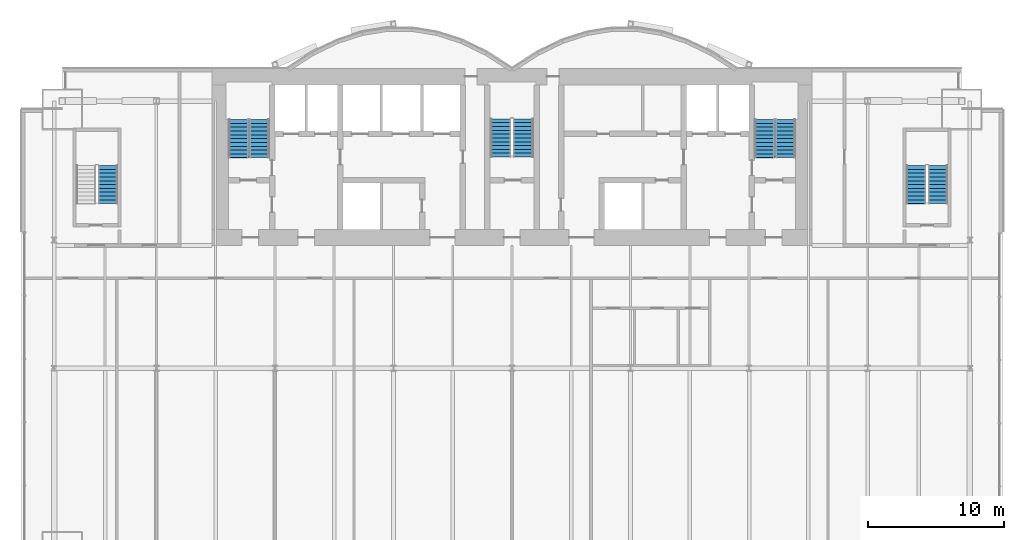
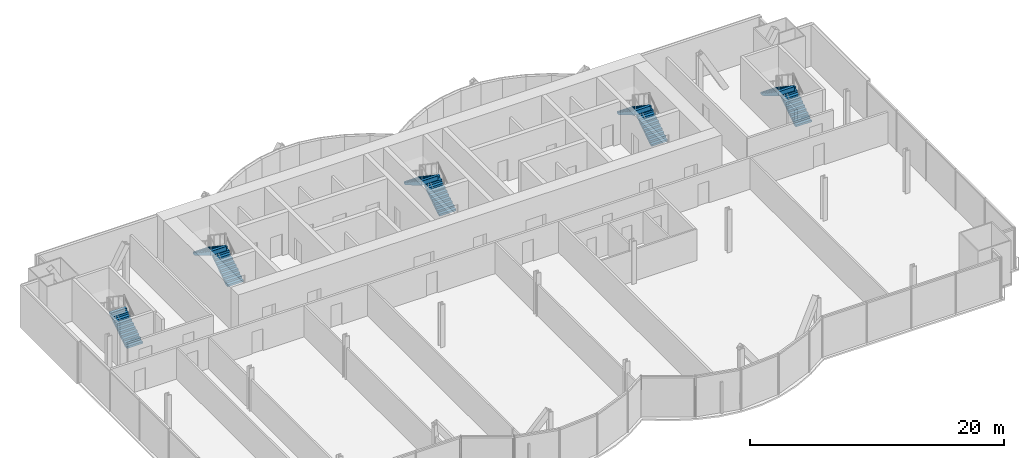
# One storey, part 18 of 21: 9 stair flights, 5 elements without a shape of their own.
"""IFC4 building model written with IfcOpenShell, lengths in metres."""

from ifc_helpers import new_model, si_unit, direction, frame, origin, place, context, subcontext, project, spatial, polyline, outline, extrude, material, type_object, element, aggregate, save


model = new_model("IFC4")

# Units and contexts
model_context = context("Model", 3, precision=1e-05, world=origin(), true_north=direction((0.0, 1.0)))
body_context = subcontext(model_context, "Body", "Model", "MODEL_VIEW")
ifc_project = project(units=[si_unit("LENGTHUNIT", "METRE"), si_unit("AREAUNIT", "SQUARE_METRE"), si_unit("VOLUMEUNIT", "CUBIC_METRE"), si_unit("PLANEANGLEUNIT", "RADIAN"), si_unit("MASSUNIT", "GRAM", prefix="KILO")], contexts=[model_context])

# Site, building, storey
site_placement = place(None, origin())
site = spatial("IfcSite", under=ifc_project, at=site_placement, CompositionType="ELEMENT")
building_placement = place(site_placement, origin())
building = spatial("IfcBuilding", under=site, at=building_placement, Name="Bicima Exchange Tower", CompositionType="ELEMENT")
storey_placement = place(building_placement, frame((0.0, 0.0, 98.10009765625)))
storey = spatial("IfcBuildingStorey", under=building, at=storey_placement, Name="L20", CompositionType="ELEMENT", Elevation=98.10009765625)

# Stair, stair flights
ifc_material = material(Name="Concrete C50/60", Category="concrete")
stair_type_1 = type_object("IfcStairType", Name="Exit stair", PredefinedType="HALF_TURN_STAIR", material=ifc_material)
stair_1_placement = place(storey_placement, origin())
stair_1 = element("IfcStair", 1, at=stair_1_placement, inside=storey, type_object=stair_type_1, Name="L20 West exit stair", PredefinedType="HALF_TURN_STAIR")
stair_flight_type_1 = type_object("IfcStairFlightType", Name="Stair flight RC", PredefinedType="STRAIGHT", material=ifc_material)
stair_flight_1_placement = place(storey_placement, frame((-18.52490234375, -6.550048828125, 0.0), z_axis=(0.0, 0.0, 1.0), x_axis=(0.0, 1.0, 0.0)))
stair_flight_1 = element("IfcStairFlight", 2, at=stair_flight_1_placement, type_object=stair_flight_type_1, Name="ST-W flight 1", NumberOfRisers=11, NumberOfTreads=10, PredefinedType="STRAIGHT", RiserHeight=0.186363636, TreadLength=0.28, context=body_context, shape_type="SweptSolid", body=[
    extrude(outline(polyline([(0.0, 0.0), (0.0, 0.186279296875), (0.280029296875, 0.186279296875), (0.280029296875, 0.372802734375), (0.56005859375, 0.372802734375), (0.56005859375, 0.55908203125), (0.840087890625, 0.55908203125), (0.840087890625, 0.745361328125), (1.1201171875, 0.745361328125), (1.1201171875, 0.931884765625), (1.39990234375, 0.931884765625), (1.39990234375, 1.1181640625), (1.679931640625, 1.1181640625), (1.679931640625, 1.304443359375), (1.9599609375, 1.304443359375), (1.9599609375, 1.490966796875), (2.239990234375, 1.490966796875), (2.239990234375, 1.67724609375), (2.52001953125, 1.67724609375), (2.52001953125, 1.863525390625), (2.800048828125, 1.863525390625), (2.800048828125, 2.050048828125), (2.800048828125, 1.68359375), (0.2705078125, 0.0), (0.0, 0.0)])), frame((0.0, 0.72509765625, 0.0), z_axis=(0.0, -1.0, 0.0), x_axis=(1.0, 0.0, 0.0)), (0.0, 0.0, 1.0), 1.449951171875),
])
stair_flight_2_placement = place(storey_placement, frame((-20.074951171875, -3.75, 2.0498046875), z_axis=(0.0, 0.0, 1.0), x_axis=(0.0, -1.0, 0.0)))
stair_flight_2 = element("IfcStairFlight", 3, at=stair_flight_2_placement, type_object=stair_flight_type_1, Name="ST-W flight 2", NumberOfRisers=11, NumberOfTreads=10, PredefinedType="STRAIGHT", RiserHeight=0.186363636, TreadLength=0.28, context=body_context, shape_type="SweptSolid", body=[
    extrude(outline(polyline([(0.0, 0.0), (0.0, 0.186279296875), (0.280029296875, 0.186279296875), (0.280029296875, 0.372802734375), (0.56005859375, 0.372802734375), (0.56005859375, 0.55908203125), (0.840087890625, 0.55908203125), (0.840087890625, 0.745361328125), (1.1201171875, 0.745361328125), (1.1201171875, 0.931884765625), (1.39990234375, 0.931884765625), (1.39990234375, 1.1181640625), (1.679931640625, 1.1181640625), (1.679931640625, 1.304443359375), (1.9599609375, 1.304443359375), (1.9599609375, 1.490966796875), (2.239990234375, 1.490966796875), (2.239990234375, 1.67724609375), (2.52001953125, 1.67724609375), (2.52001953125, 1.863525390625), (2.800048828125, 1.863525390625), (2.800048828125, 1.904052734375), (2.81494140625, 1.904052734375), (2.81494140625, 1.507080078125), (0.2705078125, 0.0), (0.0, 0.0)])), frame((0.0, 0.72509765625, 0.0), z_axis=(0.0, -1.0, 0.0), x_axis=(1.0, 0.0, 0.0)), (0.0, 0.0, 1.0), 1.449951171875),
])
aggregate(stair_1, [stair_flight_1, stair_flight_2])

stair_2_placement = place(storey_placement, origin())
stair_2 = element("IfcStair", 4, at=stair_2_placement, inside=storey, type_object=stair_type_1, Name="L20 East exit stair", PredefinedType="HALF_TURN_STAIR")
stair_flight_3_placement = place(storey_placement, frame((20.074951171875, -6.550048828125, 0.0), z_axis=(0.0, 0.0, 1.0), x_axis=(0.0, 1.0, 0.0)))
stair_flight_3 = element("IfcStairFlight", 5, at=stair_flight_3_placement, type_object=stair_flight_type_1, Name="ST-E flight 1", NumberOfRisers=11, NumberOfTreads=10, PredefinedType="STRAIGHT", RiserHeight=0.186363636, TreadLength=0.28, context=body_context, shape_type="SweptSolid", body=[
    extrude(outline(polyline([(0.0, 0.0), (0.0, 0.186279296875), (0.280029296875, 0.186279296875), (0.280029296875, 0.372802734375), (0.56005859375, 0.372802734375), (0.56005859375, 0.55908203125), (0.840087890625, 0.55908203125), (0.840087890625, 0.745361328125), (1.1201171875, 0.745361328125), (1.1201171875, 0.931884765625), (1.39990234375, 0.931884765625), (1.39990234375, 1.1181640625), (1.679931640625, 1.1181640625), (1.679931640625, 1.304443359375), (1.9599609375, 1.304443359375), (1.9599609375, 1.490966796875), (2.239990234375, 1.490966796875), (2.239990234375, 1.67724609375), (2.52001953125, 1.67724609375), (2.52001953125, 1.863525390625), (2.800048828125, 1.863525390625), (2.800048828125, 2.050048828125), (2.800048828125, 1.68359375), (0.2705078125, 0.0), (0.0, 0.0)])), frame((0.0, 0.72509765625, 0.0), z_axis=(0.0, -1.0, 0.0), x_axis=(1.0, 0.0, 0.0)), (0.0, 0.0, 1.0), 1.449951171875),
])
stair_flight_4_placement = place(storey_placement, frame((18.52490234375, -3.75, 2.0498046875), z_axis=(0.0, 0.0, 1.0), x_axis=(0.0, -1.0, 0.0)))
stair_flight_4 = element("IfcStairFlight", 6, at=stair_flight_4_placement, type_object=stair_flight_type_1, Name="ST-E flight 2", NumberOfRisers=11, NumberOfTreads=10, PredefinedType="STRAIGHT", RiserHeight=0.186363636, TreadLength=0.28, context=body_context, shape_type="SweptSolid", body=[
    extrude(outline(polyline([(0.0, 0.0), (0.0, 0.186279296875), (0.280029296875, 0.186279296875), (0.280029296875, 0.372802734375), (0.56005859375, 0.372802734375), (0.56005859375, 0.55908203125), (0.840087890625, 0.55908203125), (0.840087890625, 0.745361328125), (1.1201171875, 0.745361328125), (1.1201171875, 0.931884765625), (1.39990234375, 0.931884765625), (1.39990234375, 1.1181640625), (1.679931640625, 1.1181640625), (1.679931640625, 1.304443359375), (1.9599609375, 1.304443359375), (1.9599609375, 1.490966796875), (2.239990234375, 1.490966796875), (2.239990234375, 1.67724609375), (2.52001953125, 1.67724609375), (2.52001953125, 1.863525390625), (2.800048828125, 1.863525390625), (2.800048828125, 1.904052734375), (2.81494140625, 1.904052734375), (2.81494140625, 1.507080078125), (0.2705078125, 0.0), (0.0, 0.0)])), frame((0.0, 0.72509765625, 0.0), z_axis=(0.0, -1.0, 0.0), x_axis=(1.0, 0.0, 0.0)), (0.0, 0.0, 1.0), 1.449951171875),
])
aggregate(stair_2, [stair_flight_3, stair_flight_4])

# Stair, stair flight
stair_3_placement = place(storey_placement, origin())
stair_3 = element("IfcStair", 7, at=stair_3_placement, inside=storey, type_object=stair_type_1, Name="L20 West end exit stair", PredefinedType="HALF_TURN_STAIR")
stair_flight_5_placement = place(storey_placement, frame((-29.64990234375, -9.925048828125, 0.0), z_axis=(0.0, 0.0, 1.0), x_axis=(0.0, 1.0, 0.0)))
stair_flight_5 = element("IfcStairFlight", 8, at=stair_flight_5_placement, type_object=stair_flight_type_1, Name="ST-WW flight 1", NumberOfRisers=11, NumberOfTreads=10, PredefinedType="STRAIGHT", RiserHeight=0.186363636, TreadLength=0.28, context=body_context, shape_type="SweptSolid", body=[
    extrude(outline(polyline([(0.0, 0.0), (0.0, 0.186279296875), (0.280029296875, 0.186279296875), (0.280029296875, 0.372802734375), (0.56005859375, 0.372802734375), (0.56005859375, 0.55908203125), (0.840087890625, 0.55908203125), (0.840087890625, 0.745361328125), (1.1201171875, 0.745361328125), (1.1201171875, 0.931884765625), (1.39990234375, 0.931884765625), (1.39990234375, 1.1181640625), (1.679931640625, 1.1181640625), (1.679931640625, 1.304443359375), (1.9599609375, 1.304443359375), (1.9599609375, 1.490966796875), (2.239990234375, 1.490966796875), (2.239990234375, 1.67724609375), (2.52001953125, 1.67724609375), (2.52001953125, 1.863525390625), (2.800048828125, 1.863525390625), (2.800048828125, 2.050048828125), (2.800048828125, 1.68359375), (0.2705078125, 0.0), (0.0, 0.0)])), frame((0.0, 0.72509765625, 0.0), z_axis=(0.0, -1.0, 0.0), x_axis=(1.0, 0.0, 0.0)), (0.0, 0.0, 1.0), 1.449951171875),
])
aggregate(stair_3, [stair_flight_5])

# Stair, stair flights
stair_4_placement = place(storey_placement, origin())
stair_4 = element("IfcStair", 9, at=stair_4_placement, inside=storey, type_object=stair_type_1, Name="L20 East end exit stair", PredefinedType="HALF_TURN_STAIR")
stair_flight_6_placement = place(storey_placement, frame((31.25, -9.925048828125, 0.0), z_axis=(0.0, 0.0, 1.0), x_axis=(0.0, 1.0, 0.0)))
stair_flight_6 = element("IfcStairFlight", 10, at=stair_flight_6_placement, type_object=stair_flight_type_1, Name="ST-EE flight 1", NumberOfRisers=11, NumberOfTreads=10, PredefinedType="STRAIGHT", RiserHeight=0.186363636, TreadLength=0.28, context=body_context, shape_type="SweptSolid", body=[
    extrude(outline(polyline([(0.0, 0.0), (0.0, 0.186279296875), (0.280029296875, 0.186279296875), (0.280029296875, 0.372802734375), (0.56005859375, 0.372802734375), (0.56005859375, 0.55908203125), (0.840087890625, 0.55908203125), (0.840087890625, 0.745361328125), (1.1201171875, 0.745361328125), (1.1201171875, 0.931884765625), (1.39990234375, 0.931884765625), (1.39990234375, 1.1181640625), (1.679931640625, 1.1181640625), (1.679931640625, 1.304443359375), (1.9599609375, 1.304443359375), (1.9599609375, 1.490966796875), (2.239990234375, 1.490966796875), (2.239990234375, 1.67724609375), (2.52001953125, 1.67724609375), (2.52001953125, 1.863525390625), (2.800048828125, 1.863525390625), (2.800048828125, 2.050048828125), (2.800048828125, 1.68359375), (0.2705078125, 0.0), (0.0, 0.0)])), frame((0.0, 0.72509765625, 0.0), z_axis=(0.0, -1.0, 0.0), x_axis=(1.0, 0.0, 0.0)), (0.0, 0.0, 1.0), 1.449951171875),
])
stair_flight_7_placement = place(storey_placement, frame((29.64990234375, -7.125, 2.0498046875), z_axis=(0.0, 0.0, 1.0), x_axis=(0.0, -1.0, 0.0)))
stair_flight_7 = element("IfcStairFlight", 11, at=stair_flight_7_placement, type_object=stair_flight_type_1, Name="ST-EE flight 2", NumberOfRisers=11, NumberOfTreads=10, PredefinedType="STRAIGHT", RiserHeight=0.186363636, TreadLength=0.28, context=body_context, shape_type="SweptSolid", body=[
    extrude(outline(polyline([(0.0, 0.0), (0.0, 0.186279296875), (0.280029296875, 0.186279296875), (0.280029296875, 0.372802734375), (0.56005859375, 0.372802734375), (0.56005859375, 0.55908203125), (0.840087890625, 0.55908203125), (0.840087890625, 0.745361328125), (1.1201171875, 0.745361328125), (1.1201171875, 0.931884765625), (1.39990234375, 0.931884765625), (1.39990234375, 1.1181640625), (1.679931640625, 1.1181640625), (1.679931640625, 1.304443359375), (1.9599609375, 1.304443359375), (1.9599609375, 1.490966796875), (2.239990234375, 1.490966796875), (2.239990234375, 1.67724609375), (2.52001953125, 1.67724609375), (2.52001953125, 1.863525390625), (2.800048828125, 1.863525390625), (2.800048828125, 1.904052734375), (2.81494140625, 1.904052734375), (2.81494140625, 1.507080078125), (0.2705078125, 0.0), (0.0, 0.0)])), frame((0.0, 0.72509765625, 0.0), z_axis=(0.0, -1.0, 0.0), x_axis=(1.0, 0.0, 0.0)), (0.0, 0.0, 1.0), 1.449951171875),
])
aggregate(stair_4, [stair_flight_6, stair_flight_7])

stair_type_2 = type_object("IfcStairType", Name="Exit stair 1500", PredefinedType="HALF_TURN_STAIR", material=ifc_material)
stair_5_placement = place(storey_placement, origin())
stair_5 = element("IfcStair", 12, at=stair_5_placement, inside=storey, type_object=stair_type_2, Name="L20 Central exit stair", PredefinedType="HALF_TURN_STAIR")
stair_flight_type_2 = type_object("IfcStairFlightType", Name="Stair flight RC 1500", PredefinedType="STRAIGHT", material=ifc_material)
stair_flight_8_placement = place(storey_placement, frame((0.824951171875, -6.5, 0.0), z_axis=(0.0, 0.0, 1.0), x_axis=(0.0, 1.0, 0.0)))
stair_flight_8 = element("IfcStairFlight", 13, at=stair_flight_8_placement, type_object=stair_flight_type_2, Name="ST-C flight 1", NumberOfRisers=11, NumberOfTreads=10, PredefinedType="STRAIGHT", RiserHeight=0.186363636, TreadLength=0.28, context=body_context, shape_type="SweptSolid", body=[
    extrude(outline(polyline([(0.0, 0.0), (0.0, 0.186279296875), (0.280029296875, 0.186279296875), (0.280029296875, 0.372802734375), (0.56005859375, 0.372802734375), (0.56005859375, 0.55908203125), (0.840087890625, 0.55908203125), (0.840087890625, 0.745361328125), (1.1201171875, 0.745361328125), (1.1201171875, 0.931884765625), (1.39990234375, 0.931884765625), (1.39990234375, 1.1181640625), (1.679931640625, 1.1181640625), (1.679931640625, 1.304443359375), (1.9599609375, 1.304443359375), (1.9599609375, 1.490966796875), (2.239990234375, 1.490966796875), (2.239990234375, 1.67724609375), (2.52001953125, 1.67724609375), (2.52001953125, 1.863525390625), (2.800048828125, 1.863525390625), (2.800048828125, 2.050048828125), (2.800048828125, 1.68359375), (0.2705078125, 0.0), (0.0, 0.0)])), frame((0.0, 0.75, 0.0), z_axis=(0.0, -1.0, 0.0), x_axis=(1.0, 0.0, 0.0)), (0.0, 0.0, 1.0), 1.5),
])
stair_flight_9_placement = place(storey_placement, frame((-0.824951171875, -3.699951171875, 2.0498046875), z_axis=(0.0, 0.0, 1.0), x_axis=(0.0, -1.0, 0.0)))
stair_flight_9 = element("IfcStairFlight", 14, at=stair_flight_9_placement, type_object=stair_flight_type_2, Name="ST-C flight 2", NumberOfRisers=11, NumberOfTreads=10, PredefinedType="STRAIGHT", RiserHeight=0.186363636, TreadLength=0.28, context=body_context, shape_type="SweptSolid", body=[
    extrude(outline(polyline([(0.0, 0.0), (0.0, 0.186279296875), (0.280029296875, 0.186279296875), (0.280029296875, 0.372802734375), (0.56005859375, 0.372802734375), (0.56005859375, 0.55908203125), (0.840087890625, 0.55908203125), (0.840087890625, 0.745361328125), (1.1201171875, 0.745361328125), (1.1201171875, 0.931884765625), (1.39990234375, 0.931884765625), (1.39990234375, 1.1181640625), (1.679931640625, 1.1181640625), (1.679931640625, 1.304443359375), (1.9599609375, 1.304443359375), (1.9599609375, 1.490966796875), (2.239990234375, 1.490966796875), (2.239990234375, 1.67724609375), (2.52001953125, 1.67724609375), (2.52001953125, 1.863525390625), (2.800048828125, 1.863525390625), (2.800048828125, 1.904052734375), (2.81494140625, 1.904052734375), (2.81494140625, 1.507080078125), (0.2705078125, 0.0), (0.0, 0.0)])), frame((0.0, 0.75, 0.0), z_axis=(0.0, -1.0, 0.0), x_axis=(1.0, 0.0, 0.0)), (0.0, 0.0, 1.0), 1.5),
])
aggregate(stair_5, [stair_flight_8, stair_flight_9])

save(model, "model.ifc")
